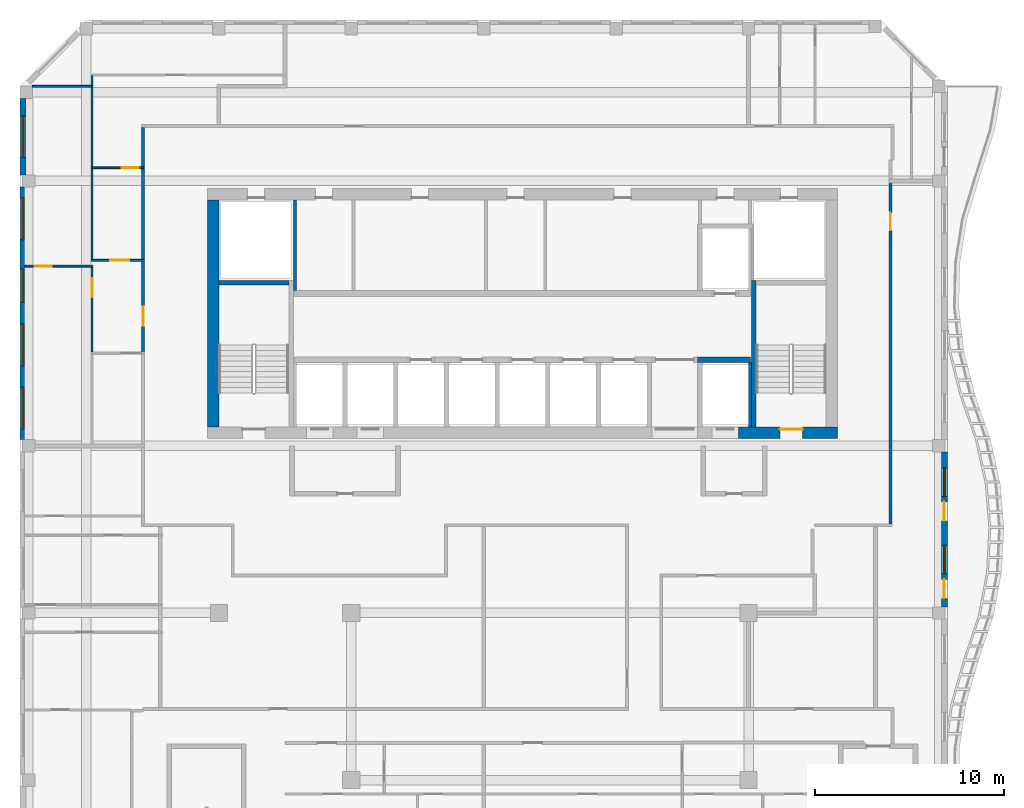
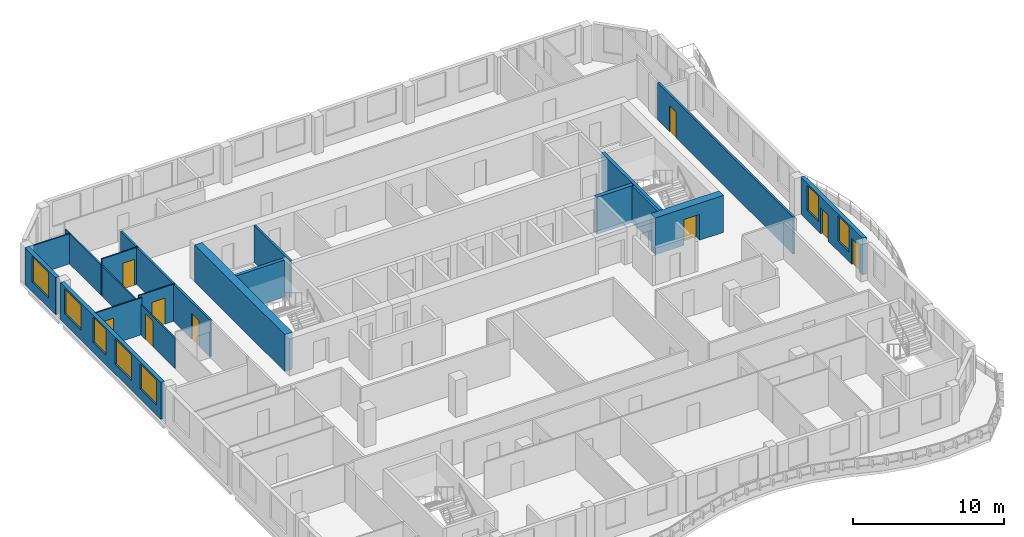
# One storey, part 6 of 13: 22 walls, 9 doors, 7 windows, 16 openings.
"""IFC4 building model written with IfcOpenShell, lengths in metres."""

from ifc_helpers import new_model, si_unit, direction, frame, frame_2d, origin, place, context, subcontext, project, spatial, rectangle, extrude, source, transform, mapped, material, layer, layer_set, type_object, element, fill, save


model = new_model("IFC4")

# Units and contexts
model_context = context("Model", 3, precision=1e-05, world=origin(), true_north=direction((0.0, 1.0)))
body_context = subcontext(model_context, "Body", "Model", "MODEL_VIEW")
ifc_project = project(units=[si_unit("LENGTHUNIT", "METRE"), si_unit("AREAUNIT", "SQUARE_METRE"), si_unit("VOLUMEUNIT", "CUBIC_METRE"), si_unit("PLANEANGLEUNIT", "RADIAN"), si_unit("MASSUNIT", "GRAM", prefix="KILO")], contexts=[model_context])

# Site, building, storey
site_placement = place(None, origin())
site = spatial("IfcSite", under=ifc_project, at=site_placement, CompositionType="ELEMENT")
building_placement = place(site_placement, origin())
building = spatial("IfcBuilding", under=site, at=building_placement, Name="Kilnfold Tower and Market Hall", CompositionType="ELEMENT")
storey_placement = place(building_placement, frame((0.0, 0.0, 287.39990234375)))
storey = spatial("IfcBuildingStorey", under=building, at=storey_placement, Name="L71", CompositionType="ELEMENT", Elevation=287.39990234375)

# Wall, opening, door
ifc_material_1 = material(Name="Gypsum board on steel studs", Category="steel")
ifc_layer_1 = layer(ifc_material_1, 0.14990234375)
ifc_layer_set_1 = layer_set([ifc_layer_1], Name="Gypsum board on steel studs")
wall_type_1 = type_object("IfcWallType", Name="WALL CORRIDOR 150", PredefinedType="PARTITIONING", material=ifc_layer_set_1)
wall_1_placement = place(storey_placement, frame((20.5, 3.875, 0.0), z_axis=(0.0, 0.0, 1.0), x_axis=(0.0, 1.0, 0.0)))
wall_1 = element("IfcWall", 1, at=wall_1_placement, inside=storey, type_object=wall_type_1, Name="Partition LY43.16", PredefinedType="PARTITIONING", context=body_context, shape_type="SweptSolid", body=[
    extrude(rectangle(XDim=18.034912109375, YDim=0.14990234375, at=frame_2d((9.017578125, 0.0))), origin(), (0.0, 0.0, 1.0), 3.0),
])
opening_1_placement = place(wall_1_placement, frame((15.531982421875, 0.0, 0.0)))
opening_1 = element("IfcOpeningElement", 2, at=opening_1_placement, cuts=wall_1, Name="Opening D2", PredefinedType="OPENING", context=body_context, shape_type="SweptSolid", body=[
    extrude(rectangle(XDim=0.89990234375, YDim=2.10009765625, at=frame_2d((0.449951171875, 1.050048828125))), frame((0.0, 0.0849609375, 0.0), z_axis=(0.0, -1.0, 0.0), x_axis=(1.0, 0.0, 0.0)), (0.0, 0.0, 1.0), 0.169921875),
])
ifc_material_2 = material(Name="Timber veneer door leaf in steel frame", Category="steel")
door_type_1 = type_object("IfcDoorType", Name="DOOR ROOM 900 X2100", OperationType="NOTDEFINED", PredefinedType="DOOR", material=ifc_material_2)
door_1_placement = place(opening_1_placement, origin())
door_1 = element("IfcDoor", 3, at=door_1_placement, inside=storey, type_object=door_type_1, Name="Door D2", OperationType="SINGLE_SWING_RIGHT", OverallHeight=2.10009765625, OverallWidth=0.89990234375, PredefinedType="DOOR", context=body_context, shape_type="SweptSolid", body=[
    extrude(rectangle(XDim=0.89990234375, YDim=2.10009765625, at=frame_2d((0.449951171875, 1.050048828125))), frame((0.0, 0.02490234375, 0.0), z_axis=(0.0, -1.0, 0.0), x_axis=(1.0, 0.0, 0.0)), (0.0, 0.0, 1.0), 0.050048828125),
])
fill(opening_1, door_1)

wall_2_placement = place(storey_placement, frame((-19.0, 12.93994140625, 0.0), z_axis=(0.0, 0.0, 1.0), x_axis=(0.0, 1.0, 0.0)))
wall_2 = element("IfcWall", 4, at=wall_2_placement, inside=storey, type_object=wall_type_1, Name="Partition LY43.21", PredefinedType="PARTITIONING", context=body_context, shape_type="SweptSolid", body=[
    extrude(rectangle(XDim=4.820068359375, YDim=0.14990234375, at=frame_2d((2.41015625, 0.0))), origin(), (0.0, 0.0, 1.0), 3.0),
])
opening_2_placement = place(wall_2_placement, frame((1.406982421875, 0.0, 0.0)))
opening_2 = element("IfcOpeningElement", 5, at=opening_2_placement, cuts=wall_2, Name="Opening D1", PredefinedType="OPENING", context=body_context, shape_type="SweptSolid", body=[
    extrude(rectangle(XDim=1.0, YDim=2.10009765625, at=frame_2d((0.5, 1.050048828125))), frame((0.0, 0.0849609375, 0.0), z_axis=(0.0, -1.0, 0.0), x_axis=(1.0, 0.0, 0.0)), (0.0, 0.0, 1.0), 0.169921875),
])
ifc_material_3 = material(Name="Timber veneer door leaf in steel frame", Category="steel")
door_type_2 = type_object("IfcDoorType", Name="DOOR ENTRY 1000 X2100", OperationType="NOTDEFINED", PredefinedType="DOOR", material=ifc_material_3)
door_2_placement = place(opening_2_placement, origin())
door_2 = element("IfcDoor", 6, at=door_2_placement, inside=storey, type_object=door_type_2, Name="Door D1", OperationType="SINGLE_SWING_LEFT", OverallHeight=2.10009765625, OverallWidth=1.0, PredefinedType="DOOR", context=body_context, shape_type="SweptSolid", body=[
    extrude(rectangle(XDim=1.0, YDim=2.10009765625, at=frame_2d((0.5, 1.050048828125))), frame((0.0, 0.02490234375, 0.0), z_axis=(0.0, -1.0, 0.0), x_axis=(1.0, 0.0, 0.0)), (0.0, 0.0, 1.0), 0.050048828125),
])
fill(opening_2, door_2)

# Walls
wall_3_placement = place(storey_placement, frame((-19.0, 17.840087890625, 0.0), z_axis=(0.0, 0.0, 1.0), x_axis=(0.0, 1.0, 0.0)))
element("IfcWall", 7, at=wall_3_placement, inside=storey, type_object=wall_type_1, Name="Partition LY43.22", PredefinedType="PARTITIONING", context=body_context, shape_type="SweptSolid", body=[
    extrude(rectangle(XDim=4.81982421875, YDim=0.14990234375, at=frame_2d((2.409912109375, 0.0))), origin(), (0.0, 0.0, 1.0), 3.0),
])
wall_4_placement = place(storey_placement, frame((-19.0, 22.739990234375, 0.0), z_axis=(0.0, 0.0, 1.0), x_axis=(0.0, 1.0, 0.0)))
element("IfcWall", 8, at=wall_4_placement, inside=storey, type_object=wall_type_1, Name="Partition LY43.23", PredefinedType="PARTITIONING", context=body_context, shape_type="SweptSolid", body=[
    extrude(rectangle(XDim=2.0849609375, YDim=0.14990234375, at=frame_2d((1.04248046875, 0.0))), origin(), (0.0, 0.0, 1.0), 3.0),
])

# Wall, opening, door
ifc_material_4 = material(Name="Gypsum board on steel studs", Category="steel")
ifc_layer_2 = layer(ifc_material_4, 0.10009765625)
ifc_layer_set_2 = layer_set([ifc_layer_2], Name="Gypsum board on steel studs")
wall_type_2 = type_object("IfcWallType", Name="WALL PARTITION 100", PredefinedType="PARTITIONING", material=ifc_layer_set_2)
wall_5_placement = place(storey_placement, frame((-18.927001953125, 17.800048828125, 0.0), z_axis=(0.0, 0.0, 1.0), x_axis=(-1.0, 0.0, 0.0)))
wall_5 = element("IfcWall", 9, at=wall_5_placement, inside=storey, type_object=wall_type_2, Name="Partition LY43.73", PredefinedType="PARTITIONING", context=body_context, shape_type="SweptSolid", body=[
    extrude(rectangle(XDim=2.822998046875, YDim=0.10009765625, at=frame_2d((1.41162109375, 0.0))), origin(), (0.0, 0.0, 1.0), 3.0),
])
opening_3_placement = place(wall_5_placement, frame((0.81005859375, 0.0, 0.0)))
opening_3 = element("IfcOpeningElement", 10, at=opening_3_placement, cuts=wall_5, Name="Opening D1", PredefinedType="OPENING", context=body_context, shape_type="SweptSolid", body=[
    extrude(rectangle(XDim=1.0, YDim=2.10009765625, at=frame_2d((0.5, 1.050048828125))), frame((0.0, 0.06005859375, 0.0), z_axis=(0.0, -1.0, 0.0), x_axis=(1.0, 0.0, 0.0)), (0.0, 0.0, 1.0), 0.1201171875),
])
door_3_placement = place(opening_3_placement, origin())
door_3 = element("IfcDoor", 11, at=door_3_placement, inside=storey, type_object=door_type_2, Name="Door D1", OperationType="SINGLE_SWING_LEFT", OverallHeight=2.10009765625, OverallWidth=1.0, PredefinedType="DOOR", context=body_context, shape_type="SweptSolid", body=[
    extrude(rectangle(XDim=1.0, YDim=2.10009765625, at=frame_2d((0.5, 1.050048828125))), frame((0.0, 0.02490234375, 0.0), z_axis=(0.0, -1.0, 0.0), x_axis=(1.0, 0.0, 0.0)), (0.0, 0.0, 1.0), 0.050048828125),
])
fill(opening_3, door_3)

wall_6_placement = place(storey_placement, frame((-21.699951171875, 12.949951171875, 0.0), z_axis=(0.0, 0.0, 1.0), x_axis=(0.0, 1.0, 0.0)))
wall_6 = element("IfcWall", 12, at=wall_6_placement, inside=storey, type_object=wall_type_2, Name="Partition LY43.74", PredefinedType="PARTITIONING", context=body_context, shape_type="SweptSolid", body=[
    extrude(rectangle(XDim=4.510009765625, YDim=0.10009765625, at=frame_2d((2.2548828125, 0.0))), origin(), (0.0, 0.0, 1.0), 2.4501953125),
])
opening_4_placement = place(wall_6_placement, frame((2.908935546875, 0.0, 0.0)))
opening_4 = element("IfcOpeningElement", 13, at=opening_4_placement, cuts=wall_6, Name="Opening D1", PredefinedType="OPENING", context=body_context, shape_type="SweptSolid", body=[
    extrude(rectangle(XDim=1.0, YDim=2.10009765625, at=frame_2d((0.5, 1.050048828125))), frame((0.0, 0.06005859375, 0.0), z_axis=(0.0, -1.0, 0.0), x_axis=(1.0, 0.0, 0.0)), (0.0, 0.0, 1.0), 0.1201171875),
])
door_4_placement = place(opening_4_placement, origin())
door_4 = element("IfcDoor", 14, at=door_4_placement, inside=storey, type_object=door_type_2, Name="Door D1", OperationType="SINGLE_SWING_LEFT", OverallHeight=2.10009765625, OverallWidth=1.0, PredefinedType="DOOR", context=body_context, shape_type="SweptSolid", body=[
    extrude(rectangle(XDim=1.0, YDim=2.10009765625, at=frame_2d((0.5, 1.050048828125))), frame((0.0, 0.02490234375, 0.0), z_axis=(0.0, -1.0, 0.0), x_axis=(1.0, 0.0, 0.0)), (0.0, 0.0, 1.0), 0.050048828125),
])
fill(opening_4, door_4)

wall_7_placement = place(storey_placement, frame((-18.927001953125, 22.699951171875, 0.0), z_axis=(0.0, 0.0, 1.0), x_axis=(-1.0, 0.0, 0.0)))
wall_7 = element("IfcWall", 15, at=wall_7_placement, inside=storey, type_object=wall_type_2, Name="Partition LY43.75", PredefinedType="PARTITIONING", context=body_context, shape_type="SweptSolid", body=[
    extrude(rectangle(XDim=2.822998046875, YDim=0.10009765625, at=frame_2d((1.41162109375, 0.0))), origin(), (0.0, 0.0, 1.0), 3.0),
])
opening_5_placement = place(wall_7_placement, frame((0.302001953125, 0.0, 0.0)))
opening_5 = element("IfcOpeningElement", 16, at=opening_5_placement, cuts=wall_7, Name="Opening D2", PredefinedType="OPENING", context=body_context, shape_type="SweptSolid", body=[
    extrude(rectangle(XDim=0.89990234375, YDim=2.10009765625, at=frame_2d((0.449951171875, 1.050048828125))), frame((0.0, 0.06005859375, 0.0), z_axis=(0.0, -1.0, 0.0), x_axis=(1.0, 0.0, 0.0)), (0.0, 0.0, 1.0), 0.1201171875),
])
door_5_placement = place(opening_5_placement, origin())
door_5 = element("IfcDoor", 17, at=door_5_placement, inside=storey, type_object=door_type_1, Name="Door D2", OperationType="SINGLE_SWING_RIGHT", OverallHeight=2.10009765625, OverallWidth=0.89990234375, PredefinedType="DOOR", context=body_context, shape_type="SweptSolid", body=[
    extrude(rectangle(XDim=0.89990234375, YDim=2.10009765625, at=frame_2d((0.449951171875, 1.050048828125))), frame((0.0, 0.02490234375, 0.0), z_axis=(0.0, -1.0, 0.0), x_axis=(1.0, 0.0, 0.0)), (0.0, 0.0, 1.0), 0.050048828125),
])
fill(opening_5, door_5)

# Walls
wall_8_placement = place(storey_placement, frame((-21.699951171875, 17.85009765625, 0.0), z_axis=(0.0, 0.0, 1.0), x_axis=(0.0, 1.0, 0.0)))
element("IfcWall", 18, at=wall_8_placement, inside=storey, type_object=wall_type_2, Name="Partition LY43.76", PredefinedType="PARTITIONING", context=body_context, shape_type="SweptSolid", body=[
    extrude(rectangle(XDim=4.7998046875, YDim=0.10009765625, at=frame_2d((2.39990234375, 0.0))), origin(), (0.0, 0.0, 1.0), 2.4501953125),
])
wall_9_placement = place(storey_placement, frame((-21.699951171875, 22.75, 0.0), z_axis=(0.0, 0.0, 1.0), x_axis=(0.0, 1.0, 0.0)))
element("IfcWall", 19, at=wall_9_placement, inside=storey, type_object=wall_type_2, Name="Partition LY43.77", PredefinedType="PARTITIONING", context=body_context, shape_type="SweptSolid", body=[
    extrude(rectangle(XDim=4.2099609375, YDim=0.10009765625, at=frame_2d((2.10498046875, 0.0))), origin(), (0.0, 0.0, 1.0), 2.4501953125),
])
wall_10_placement = place(storey_placement, frame((-21.699951171875, 27.0400390625, 0.0), z_axis=(0.0, 0.0, 1.0), x_axis=(0.0, 1.0, 0.0)))
element("IfcWall", 20, at=wall_10_placement, inside=storey, type_object=wall_type_2, Name="Partition LY43.78", PredefinedType="PARTITIONING", context=body_context, shape_type="SweptSolid", body=[
    extrude(rectangle(XDim=0.510009765625, YDim=0.10009765625, at=frame_2d((0.2548828125, 0.0))), origin(), (0.0, 0.0, 1.0), 2.4501953125),
])

# Wall, opening, door
wall_11_placement = place(storey_placement, frame((-21.652099609375, 17.5, 0.0), z_axis=(0.0, 0.0, 1.0), x_axis=(-1.0, 0.0, 0.0)))
wall_11 = element("IfcWall", 21, at=wall_11_placement, inside=storey, type_object=wall_type_2, Name="Partition LY43.80", PredefinedType="PARTITIONING", context=body_context, shape_type="SweptSolid", body=[
    extrude(rectangle(XDim=3.597900390625, YDim=0.10009765625, at=frame_2d((1.798828125, 0.0))), origin(), (0.0, 0.0, 1.0), 3.0),
])
opening_6_placement = place(wall_11_placement, frame((2.18505859375, 0.0, 0.0)))
opening_6 = element("IfcOpeningElement", 22, at=opening_6_placement, cuts=wall_11, Name="Opening D2", PredefinedType="OPENING", context=body_context, shape_type="SweptSolid", body=[
    extrude(rectangle(XDim=0.89990234375, YDim=2.10009765625, at=frame_2d((0.449951171875, 1.050048828125))), frame((0.0, 0.06005859375, 0.0), z_axis=(0.0, -1.0, 0.0), x_axis=(1.0, 0.0, 0.0)), (0.0, 0.0, 1.0), 0.1201171875),
])
door_6_placement = place(opening_6_placement, origin())
door_6 = element("IfcDoor", 23, at=door_6_placement, inside=storey, type_object=door_type_1, Name="Door D2", OperationType="SINGLE_SWING_RIGHT", OverallHeight=2.10009765625, OverallWidth=0.89990234375, PredefinedType="DOOR", context=body_context, shape_type="SweptSolid", body=[
    extrude(rectangle(XDim=0.89990234375, YDim=2.10009765625, at=frame_2d((0.449951171875, 1.050048828125))), frame((0.0, 0.02490234375, 0.0), z_axis=(0.0, -1.0, 0.0), x_axis=(1.0, 0.0, 0.0)), (0.0, 0.0, 1.0), 0.050048828125),
])
fill(opening_6, door_6)

# Walls
wall_12_placement = place(storey_placement, frame((-21.652099609375, 27.0, 0.0), z_axis=(0.0, 0.0, 1.0), x_axis=(-1.0, 0.0, 0.0)))
element("IfcWall", 24, at=wall_12_placement, inside=storey, type_object=wall_type_2, Name="Partition LY43.81", PredefinedType="PARTITIONING", context=body_context, shape_type="SweptSolid", body=[
    extrude(rectangle(XDim=3.204833984375, YDim=0.10009765625, at=frame_2d((1.6025390625, 0.0))), origin(), (0.0, 0.0, 1.0), 2.4501953125),
])
ifc_material_5 = material(Name="Concrete C50", Category="concrete")
ifc_layer_3 = layer(ifc_material_5, 0.25)
ifc_layer_set_3 = layer_set([ifc_layer_3], Name="Concrete C50")
wall_type_3 = type_object("IfcWallType", Name="CORE WALL 250 C50", PredefinedType="SHEAR", material=ifc_layer_set_3)
shared_shape_1 = source(origin(), body_context, "Body", "SweptSolid", [
    extrude(rectangle(XDim=7.75, YDim=0.25, at=frame_2d((3.875, 0.0))), origin(), (0.0, 0.0, 1.0), 3.0),
])
wall_13_placement = place(storey_placement, frame((13.27490234375, 9.0, 0.0), z_axis=(0.0, 0.0, 1.0), x_axis=(0.0, 1.0, 0.0)))
element("IfcWall", 25, at=wall_13_placement, inside=storey, type_object=wall_type_3, Name="Stair enclosure ST2", PredefinedType="SHEAR", context=body_context, shape_type="MappedRepresentation", body=[
    mapped(shared_shape_1, transform((0.0, 0.0, 0.0))),
])
shared_shape_2 = source(origin(), body_context, "Body", "SweptSolid", [
    extrude(rectangle(XDim=3.699951171875, YDim=0.25, at=frame_2d((1.85009765625, 0.0))), origin(), (0.0, 0.0, 1.0), 3.0),
])
wall_14_placement = place(storey_placement, frame((-15.0, 16.625, 0.0), z_axis=(0.0, 0.0, 1.0), x_axis=(1.0, 0.0, 0.0)))
element("IfcWall", 26, at=wall_14_placement, inside=storey, type_object=wall_type_3, Name="Stair enclosure ST1", PredefinedType="SHEAR", context=body_context, shape_type="MappedRepresentation", body=[
    mapped(shared_shape_2, transform((0.0, 0.0, 0.0))),
])
ifc_material_6 = material(Name="Concrete C50", Category="concrete")
ifc_layer_4 = layer(ifc_material_6, 0.300048828125)
ifc_layer_set_4 = layer_set([ifc_layer_4], Name="Concrete C50")
wall_type_4 = type_object("IfcWallType", Name="CORE WALL 300 C50", PredefinedType="SHEAR", material=ifc_layer_set_4)
shared_shape_3 = source(origin(), body_context, "Body", "SweptSolid", [
    extrude(rectangle(XDim=2.820068359375, YDim=0.300048828125, at=frame_2d((1.41015625, 0.0))), origin(), (0.0, 0.0, 1.0), 3.0),
])
wall_15_placement = place(storey_placement, frame((10.2900390625, 12.550048828125, 0.0), z_axis=(0.0, 0.0, 1.0), x_axis=(1.0, 0.0, 0.0)))
element("IfcWall", 27, at=wall_15_placement, inside=storey, type_object=wall_type_4, Name="Core spine wall", PredefinedType="SHEAR", context=body_context, shape_type="MappedRepresentation", body=[
    mapped(shared_shape_3, transform((0.0, 0.0, 0.0))),
])

# Wall, opening, door
ifc_material_7 = material(Name="Concrete C50", Category="concrete")
ifc_layer_5 = layer(ifc_material_7, 0.60009765625)
ifc_layer_set_5 = layer_set([ifc_layer_5], Name="Concrete C50")
wall_type_5 = type_object("IfcWallType", Name="CORE WALL 600 C50", PredefinedType="SHEAR", material=ifc_layer_set_5)
shared_shape_4 = source(origin(), body_context, "Body", "SweptSolid", [
    extrude(rectangle(XDim=5.22998046875, YDim=0.60009765625, at=frame_2d((2.614990234375, 0.0))), origin(), (0.0, 0.0, 1.0), 3.0),
])
wall_16_placement = place(storey_placement, frame((12.469970703125, 8.699951171875, 0.0), z_axis=(0.0, 0.0, 1.0), x_axis=(1.0, 0.0, 0.0)))
wall_16 = element("IfcWall", 28, at=wall_16_placement, inside=storey, type_object=wall_type_5, Name="Core outer wall south", PredefinedType="SHEAR", context=body_context, shape_type="MappedRepresentation", body=[
    mapped(shared_shape_4, transform((0.0, 0.0, 0.0))),
])
opening_7_placement = place(wall_16_placement, frame((2.179931640625, 0.0, 0.0)))
opening_7 = element("IfcOpeningElement", 29, at=opening_7_placement, cuts=wall_16, Name="Opening SD1", PredefinedType="OPENING", context=body_context, shape_type="SweptSolid", body=[
    extrude(rectangle(XDim=1.199951171875, YDim=2.10009765625, at=frame_2d((0.60009765625, 1.050048828125))), frame((0.0, 0.31005859375, 0.0), z_axis=(0.0, -1.0, 0.0), x_axis=(1.0, 0.0, 0.0)), (0.0, 0.0, 1.0), 0.6201171875),
])
ifc_material_8 = material(Name="Steel door set with fire-resisting leaf", Category="steel")
door_type_3 = type_object("IfcDoorType", Name="STAIR FLOOR DOOR 1200X2100", OperationType="NOTDEFINED", PredefinedType="DOOR", material=ifc_material_8)
door_7_placement = place(opening_7_placement, origin())
door_7 = element("IfcDoor", 30, at=door_7_placement, inside=storey, type_object=door_type_3, Name="Exit stair ST2 door", OperationType="DOUBLE_DOOR_SINGLE_SWING", OverallHeight=2.10009765625, OverallWidth=1.199951171875, PredefinedType="DOOR", context=body_context, shape_type="SweptSolid", body=[
    extrude(rectangle(XDim=1.199951171875, YDim=2.10009765625, at=frame_2d((0.60009765625, 1.050048828125))), frame((0.0, 0.205078125, 0.0), z_axis=(0.0, -1.0, 0.0), x_axis=(1.0, 0.0, 0.0)), (0.0, 0.0, 1.0), 0.050048828125),
])
fill(opening_7, door_7)

# Wall
shared_shape_5 = source(origin(), body_context, "Body", "SweptSolid", [
    extrude(rectangle(XDim=12.0, YDim=0.60009765625, at=frame_2d((6.0, 0.0))), origin(), (0.0, 0.0, 1.0), 3.0),
])
wall_17_placement = place(storey_placement, frame((-15.300048828125, 9.0, 0.0), z_axis=(0.0, 0.0, 1.0), x_axis=(0.0, 1.0, 0.0)))
element("IfcWall", 31, at=wall_17_placement, inside=storey, type_object=wall_type_5, Name="Core outer wall west", PredefinedType="SHEAR", context=body_context, shape_type="MappedRepresentation", body=[
    mapped(shared_shape_5, transform((0.0, 0.0, 0.0))),
])

# Wall, openings, doors, windows
ifc_material_9 = material(Name="Precast concrete C50/60", Category="concrete")
ifc_layer_6 = layer(ifc_material_9, 0.300048828125)
ifc_layer_set_6 = layer_set([ifc_layer_6], Name="Precast concrete C50/60")
wall_type_6 = type_object("IfcWallType", Name="PRECAST WALL 300", PredefinedType="SOLIDWALL", material=ifc_layer_set_6)
shared_shape_6 = source(origin(), body_context, "Body", "SweptSolid", [
    extrude(rectangle(XDim=8.183349609375, YDim=0.300048828125, at=frame_2d((4.091796875, 0.0))), origin(), (0.0, 0.0, 1.0), 3.0),
])
wall_18_placement = place(storey_placement, frame((23.35009765625, -0.50830078125, 0.0), z_axis=(0.0, 0.0, 1.0), x_axis=(0.0, 1.0, 0.0)))
wall_18 = element("IfcWall", 32, at=wall_18_placement, inside=storey, type_object=wall_type_6, Name="External wall L71 E", PredefinedType="SOLIDWALL", context=body_context, shape_type="MappedRepresentation", body=[
    mapped(shared_shape_6, transform((0.0, 0.0, 0.0))),
])
opening_8_placement = place(wall_18_placement, frame((1.75, 0.0, 0.800048828125)))
opening_8 = element("IfcOpeningElement", 33, at=opening_8_placement, cuts=wall_18, Name="Opening W5", PredefinedType="OPENING", context=body_context, shape_type="SweptSolid", body=[
    extrude(rectangle(XDim=1.5, YDim=2.050048828125, at=frame_2d((0.75, 1.02490234375))), frame((0.0, 0.16015625, 0.0), z_axis=(0.0, -1.0, 0.0), x_axis=(1.0, 0.0, 0.0)), (0.0, 0.0, 1.0), 0.320068359375),
])
opening_9_placement = place(wall_18_placement, frame((0.449951171875, 0.0, 0.0)))
opening_9 = element("IfcOpeningElement", 34, at=opening_9_placement, cuts=wall_18, Name="Opening BD1", PredefinedType="OPENING", context=body_context, shape_type="SweptSolid", body=[
    extrude(rectangle(XDim=1.0, YDim=2.10009765625, at=frame_2d((0.5, 1.050048828125))), frame((0.0, 0.16015625, 0.0), z_axis=(0.0, -1.0, 0.0), x_axis=(1.0, 0.0, 0.0)), (0.0, 0.0, 1.0), 0.320068359375),
])
opening_10_placement = place(wall_18_placement, frame((5.841552734375, 0.0, 0.800048828125)))
opening_10 = element("IfcOpeningElement", 35, at=opening_10_placement, cuts=wall_18, Name="Opening W5", PredefinedType="OPENING", context=body_context, shape_type="SweptSolid", body=[
    extrude(rectangle(XDim=1.5, YDim=2.050048828125, at=frame_2d((0.75, 1.02490234375))), frame((0.0, 0.16015625, 0.0), z_axis=(0.0, -1.0, 0.0), x_axis=(1.0, 0.0, 0.0)), (0.0, 0.0, 1.0), 0.320068359375),
])
opening_11_placement = place(wall_18_placement, frame((4.54150390625, 0.0, 0.0)))
opening_11 = element("IfcOpeningElement", 36, at=opening_11_placement, cuts=wall_18, Name="Opening BD1", PredefinedType="OPENING", context=body_context, shape_type="SweptSolid", body=[
    extrude(rectangle(XDim=1.0, YDim=2.10009765625, at=frame_2d((0.5, 1.050048828125))), frame((0.0, 0.16015625, 0.0), z_axis=(0.0, -1.0, 0.0), x_axis=(1.0, 0.0, 0.0)), (0.0, 0.0, 1.0), 0.320068359375),
])
ifc_material_10 = material(Name="Aluminium frame and double glazing", Category="aluminium")
door_type_4 = type_object("IfcDoorType", Name="BALCONY DOOR 1000X2100", OperationType="NOTDEFINED", PredefinedType="DOOR", material=ifc_material_10)
door_8_placement = place(opening_9_placement, origin())
door_8 = element("IfcDoor", 37, at=door_8_placement, inside=storey, type_object=door_type_4, Name="Balcony door BD1 L71 E-1", OperationType="SINGLE_SWING_LEFT", OverallHeight=2.10009765625, OverallWidth=1.0, PredefinedType="DOOR", context=body_context, shape_type="SweptSolid", body=[
    extrude(rectangle(XDim=1.0, YDim=2.10009765625, at=frame_2d((0.5, 1.050048828125))), frame((0.0, 0.02490234375, 0.0), z_axis=(0.0, -1.0, 0.0), x_axis=(1.0, 0.0, 0.0)), (0.0, 0.0, 1.0), 0.050048828125),
])
fill(opening_9, door_8)
door_9_placement = place(opening_11_placement, origin())
door_9 = element("IfcDoor", 38, at=door_9_placement, inside=storey, type_object=door_type_4, Name="Balcony door BD1 L71 E-2", OperationType="SINGLE_SWING_RIGHT", OverallHeight=2.10009765625, OverallWidth=1.0, PredefinedType="DOOR", context=body_context, shape_type="SweptSolid", body=[
    extrude(rectangle(XDim=1.0, YDim=2.10009765625, at=frame_2d((0.5, 1.050048828125))), frame((0.0, 0.02490234375, 0.0), z_axis=(0.0, -1.0, 0.0), x_axis=(1.0, 0.0, 0.0)), (0.0, 0.0, 1.0), 0.050048828125),
])
fill(opening_11, door_9)
ifc_material_11 = material(Name="Aluminium frame and double glazing", Category="aluminium")
window_type_1 = type_object("IfcWindowType", Name="WINDOW W5 1500X2050", PartitioningType="SINGLE_PANEL", PredefinedType="WINDOW", material=ifc_material_11)
window_1_placement = place(opening_8_placement, origin())
window_1 = element("IfcWindow", 39, at=window_1_placement, inside=storey, type_object=window_type_1, Name="Window W5 L71 E-1", OverallHeight=2.050048828125, OverallWidth=1.5, PartitioningType="SINGLE_PANEL", PredefinedType="WINDOW", context=body_context, shape_type="SweptSolid", body=[
    extrude(rectangle(XDim=1.5, YDim=2.050048828125, at=frame_2d((0.75, 1.02490234375))), frame((0.0, 0.030029296875, 0.0), z_axis=(0.0, -1.0, 0.0), x_axis=(1.0, 0.0, 0.0)), (0.0, 0.0, 1.0), 0.06005859375),
])
fill(opening_8, window_1)
window_2_placement = place(opening_10_placement, origin())
window_2 = element("IfcWindow", 40, at=window_2_placement, inside=storey, type_object=window_type_1, Name="Window W5 L71 E-2", OverallHeight=2.050048828125, OverallWidth=1.5, PartitioningType="SINGLE_PANEL", PredefinedType="WINDOW", context=body_context, shape_type="SweptSolid", body=[
    extrude(rectangle(XDim=1.5, YDim=2.050048828125, at=frame_2d((0.75, 1.02490234375))), frame((0.0, 0.030029296875, 0.0), z_axis=(0.0, -1.0, 0.0), x_axis=(1.0, 0.0, 0.0)), (0.0, 0.0, 1.0), 0.06005859375),
])
fill(opening_10, window_2)

# Wall, openings, windows
shared_shape_7 = source(origin(), body_context, "Body", "SweptSolid", [
    extrude(rectangle(XDim=13.35009765625, YDim=0.300048828125, at=frame_2d((6.675048828125, 0.0))), origin(), (0.0, 0.0, 1.0), 3.0),
])
wall_19_placement = place(storey_placement, frame((-25.35009765625, 21.675048828125, 0.0), z_axis=(0.0, 0.0, 1.0), x_axis=(0.0, -1.0, 0.0)))
wall_19 = element("IfcWall", 41, at=wall_19_placement, inside=storey, type_object=wall_type_6, Name="External wall L71 W", PredefinedType="SOLIDWALL", context=body_context, shape_type="MappedRepresentation", body=[
    mapped(shared_shape_7, transform((0.0, 0.0, 0.0))),
])
opening_12_placement = place(wall_19_placement, frame((0.56884765625, 0.0, 0.800048828125)))
opening_12 = element("IfcOpeningElement", 42, at=opening_12_placement, cuts=wall_19, Name="Opening W3", PredefinedType="OPENING", context=body_context, shape_type="SweptSolid", body=[
    extrude(rectangle(XDim=2.199951171875, YDim=2.050048828125, at=frame_2d((1.10009765625, 1.02490234375))), frame((0.0, 0.16015625, 0.0), z_axis=(0.0, -1.0, 0.0), x_axis=(1.0, 0.0, 0.0)), (0.0, 0.0, 1.0), 0.320068359375),
])
opening_13_placement = place(wall_19_placement, frame((4.3408203125, 0.0, 0.800048828125)))
opening_13 = element("IfcOpeningElement", 43, at=opening_13_placement, cuts=wall_19, Name="Opening W3-I", PredefinedType="OPENING", context=body_context, shape_type="SweptSolid", body=[
    extrude(rectangle(XDim=1.75, YDim=2.050048828125, at=frame_2d((0.875, 1.02490234375))), frame((0.0, 0.16015625, 0.0), z_axis=(0.0, -1.0, 0.0), x_axis=(1.0, 0.0, 0.0)), (0.0, 0.0, 1.0), 0.320068359375),
])
opening_14_placement = place(wall_19_placement, frame((7.243896484375, 0.0, 0.800048828125)))
opening_14 = element("IfcOpeningElement", 44, at=opening_14_placement, cuts=wall_19, Name="Opening W3", PredefinedType="OPENING", context=body_context, shape_type="SweptSolid", body=[
    extrude(rectangle(XDim=2.199951171875, YDim=2.050048828125, at=frame_2d((1.10009765625, 1.02490234375))), frame((0.0, 0.16015625, 0.0), z_axis=(0.0, -1.0, 0.0), x_axis=(1.0, 0.0, 0.0)), (0.0, 0.0, 1.0), 0.320068359375),
])
opening_15_placement = place(wall_19_placement, frame((10.581298828125, 0.0, 0.800048828125)))
opening_15 = element("IfcOpeningElement", 45, at=opening_15_placement, cuts=wall_19, Name="Opening W3", PredefinedType="OPENING", context=body_context, shape_type="SweptSolid", body=[
    extrude(rectangle(XDim=2.199951171875, YDim=2.050048828125, at=frame_2d((1.10009765625, 1.02490234375))), frame((0.0, 0.16015625, 0.0), z_axis=(0.0, -1.0, 0.0), x_axis=(1.0, 0.0, 0.0)), (0.0, 0.0, 1.0), 0.320068359375),
])
ifc_material_12 = material(Name="Aluminium frame and double glazing", Category="aluminium")
window_type_2 = type_object("IfcWindowType", Name="WINDOW W3 2200X2050", PartitioningType="SINGLE_PANEL", PredefinedType="WINDOW", material=ifc_material_12)
window_3_placement = place(opening_12_placement, origin())
window_3 = element("IfcWindow", 46, at=window_3_placement, inside=storey, type_object=window_type_2, Name="Window W3 L71 W-1", OverallHeight=2.050048828125, OverallWidth=2.199951171875, PartitioningType="SINGLE_PANEL", PredefinedType="WINDOW", context=body_context, shape_type="SweptSolid", body=[
    extrude(rectangle(XDim=2.199951171875, YDim=2.050048828125, at=frame_2d((1.10009765625, 1.02490234375))), frame((0.0, 0.030029296875, 0.0), z_axis=(0.0, -1.0, 0.0), x_axis=(1.0, 0.0, 0.0)), (0.0, 0.0, 1.0), 0.06005859375),
])
fill(opening_12, window_3)
window_4_placement = place(opening_14_placement, origin())
window_4 = element("IfcWindow", 47, at=window_4_placement, inside=storey, type_object=window_type_2, Name="Window W3 L71 W-3", OverallHeight=2.050048828125, OverallWidth=2.199951171875, PartitioningType="SINGLE_PANEL", PredefinedType="WINDOW", context=body_context, shape_type="SweptSolid", body=[
    extrude(rectangle(XDim=2.199951171875, YDim=2.050048828125, at=frame_2d((1.10009765625, 1.02490234375))), frame((0.0, 0.030029296875, 0.0), z_axis=(0.0, -1.0, 0.0), x_axis=(1.0, 0.0, 0.0)), (0.0, 0.0, 1.0), 0.06005859375),
])
fill(opening_14, window_4)
window_5_placement = place(opening_15_placement, origin())
window_5 = element("IfcWindow", 48, at=window_5_placement, inside=storey, type_object=window_type_2, Name="Window W3 L71 W-4", OverallHeight=2.050048828125, OverallWidth=2.199951171875, PartitioningType="SINGLE_PANEL", PredefinedType="WINDOW", context=body_context, shape_type="SweptSolid", body=[
    extrude(rectangle(XDim=2.199951171875, YDim=2.050048828125, at=frame_2d((1.10009765625, 1.02490234375))), frame((0.0, 0.030029296875, 0.0), z_axis=(0.0, -1.0, 0.0), x_axis=(1.0, 0.0, 0.0)), (0.0, 0.0, 1.0), 0.06005859375),
])
fill(opening_15, window_5)
ifc_material_13 = material(Name="Aluminium frame and double glazing", Category="aluminium")
window_type_3 = type_object("IfcWindowType", Name="WINDOW W3-I 1750X2050", PartitioningType="SINGLE_PANEL", PredefinedType="WINDOW", material=ifc_material_13)
window_6_placement = place(opening_13_placement, origin())
window_6 = element("IfcWindow", 49, at=window_6_placement, inside=storey, type_object=window_type_3, Name="Window W3-I L71 W-2", OverallHeight=2.050048828125, OverallWidth=1.75, PartitioningType="SINGLE_PANEL", PredefinedType="WINDOW", context=body_context, shape_type="SweptSolid", body=[
    extrude(rectangle(XDim=1.75, YDim=2.050048828125, at=frame_2d((0.875, 1.02490234375))), frame((0.0, 0.030029296875, 0.0), z_axis=(0.0, -1.0, 0.0), x_axis=(1.0, 0.0, 0.0)), (0.0, 0.0, 1.0), 0.06005859375),
])
fill(opening_13, window_6)

# Wall, opening, window
shared_shape_8 = source(origin(), body_context, "Body", "SweptSolid", [
    extrude(rectangle(XDim=4.03173828125, YDim=0.300048828125, at=frame_2d((2.015869140625, 0.0))), origin(), (0.0, 0.0, 1.0), 3.0),
])
wall_20_placement = place(storey_placement, frame((-25.35009765625, 26.356689453125, 0.0), z_axis=(0.0, 0.0, 1.0), x_axis=(0.0, -1.0, 0.0)))
wall_20 = element("IfcWall", 50, at=wall_20_placement, inside=storey, type_object=wall_type_6, Name="External wall L71 W", PredefinedType="SOLIDWALL", context=body_context, shape_type="MappedRepresentation", body=[
    mapped(shared_shape_8, transform((0.0, 0.0, 0.0))),
])
opening_16_placement = place(wall_20_placement, frame((0.916015625, 0.0, 0.800048828125)))
opening_16 = element("IfcOpeningElement", 51, at=opening_16_placement, cuts=wall_20, Name="Opening W3", PredefinedType="OPENING", context=body_context, shape_type="SweptSolid", body=[
    extrude(rectangle(XDim=2.199951171875, YDim=2.050048828125, at=frame_2d((1.10009765625, 1.02490234375))), frame((0.0, 0.16015625, 0.0), z_axis=(0.0, -1.0, 0.0), x_axis=(1.0, 0.0, 0.0)), (0.0, 0.0, 1.0), 0.320068359375),
])
window_7_placement = place(opening_16_placement, origin())
window_7 = element("IfcWindow", 52, at=window_7_placement, inside=storey, type_object=window_type_2, Name="Window W3 L71 W-1", OverallHeight=2.050048828125, OverallWidth=2.199951171875, PartitioningType="SINGLE_PANEL", PredefinedType="WINDOW", context=body_context, shape_type="SweptSolid", body=[
    extrude(rectangle(XDim=2.199951171875, YDim=2.050048828125, at=frame_2d((1.10009765625, 1.02490234375))), frame((0.0, 0.030029296875, 0.0), z_axis=(0.0, -1.0, 0.0), x_axis=(1.0, 0.0, 0.0)), (0.0, 0.0, 1.0), 0.06005859375),
])
fill(opening_16, window_7)

# Walls
ifc_material_14 = material(Name="Gypsum shaft wall system")
ifc_layer_7 = layer(ifc_material_14, 0.1650390625)
ifc_layer_set_7 = layer_set([ifc_layer_7], Name="Gypsum shaft wall system")
wall_type_7 = type_object("IfcWallType", Name="SHAFT WALL 165", PredefinedType="PARTITIONING", material=ifc_layer_set_7)
shared_shape_9 = source(origin(), body_context, "Body", "SweptSolid", [
    extrude(rectangle(XDim=4.800048828125, YDim=0.1650390625, at=frame_2d((2.39990234375, 0.0))), origin(), (0.0, 0.0, 1.0), 3.0),
])
wall_21_placement = place(storey_placement, frame((-10.967529296875, 16.199951171875, 0.0), z_axis=(0.0, 0.0, 1.0), x_axis=(0.0, 1.0, 0.0)))
element("IfcWall", 53, at=wall_21_placement, inside=storey, type_object=wall_type_7, Name="Lift shaft wall", PredefinedType="PARTITIONING", context=body_context, shape_type="MappedRepresentation", body=[
    mapped(shared_shape_9, transform((0.0, 0.0, 0.0))),
])
shared_shape_10 = source(origin(), body_context, "Body", "SweptSolid", [
    extrude(rectangle(XDim=3.39990234375, YDim=0.1650390625, at=frame_2d((1.699951171875, 0.0))), origin(), (0.0, 0.0, 1.0), 3.0),
])
wall_22_placement = place(storey_placement, frame((13.0673828125, 9.0, 0.0), z_axis=(0.0, 0.0, 1.0), x_axis=(0.0, 1.0, 0.0)))
element("IfcWall", 54, at=wall_22_placement, inside=storey, type_object=wall_type_7, Name="Lift shaft wall", PredefinedType="PARTITIONING", context=body_context, shape_type="MappedRepresentation", body=[
    mapped(shared_shape_10, transform((0.0, 0.0, 0.0))),
])

save(model, "model.ifc")
